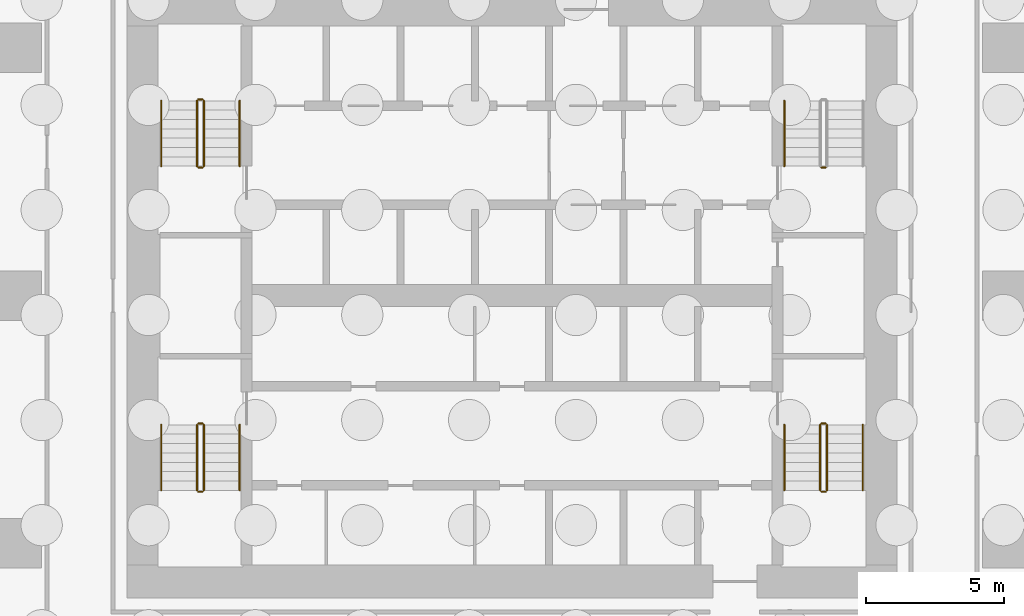
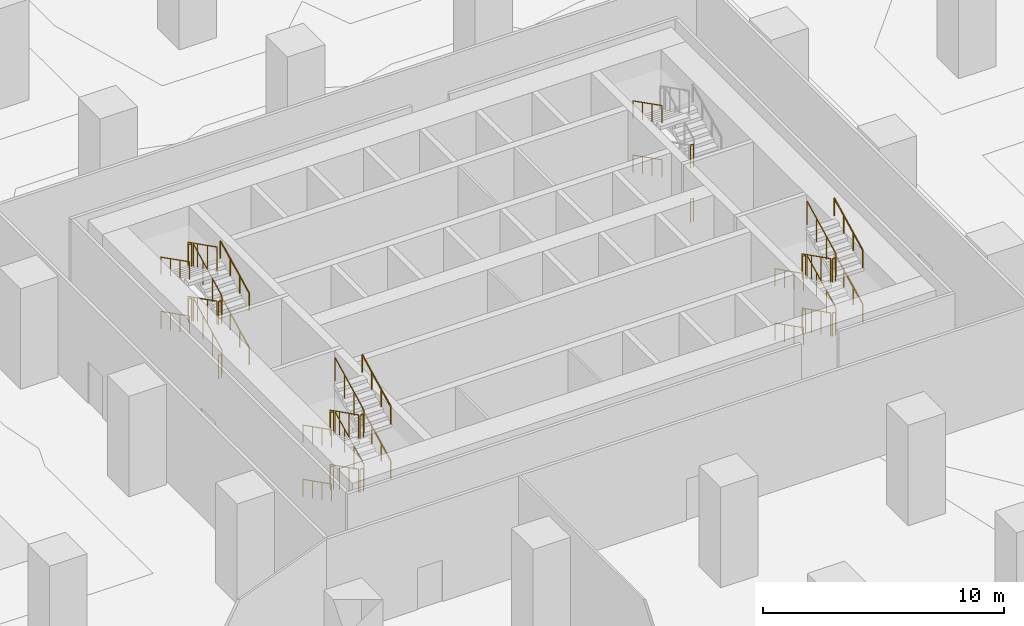
# One storey, part 11 of 12: 40 railings.
"""IFC4 building model written with IfcOpenShell, lengths in metres."""

from ifc_helpers import new_model, si_unit, direction, frame, origin, origin_2d, place, context, subcontext, project, spatial, circle, extrude, material, type_object, element, save


model = new_model("IFC4")

# Units and contexts
model_context = context("Model", 3, precision=1e-05, world=origin(), true_north=direction((0.0, 1.0)))
body_context = subcontext(model_context, "Body", "Model", "MODEL_VIEW")
ifc_project = project(units=[si_unit("LENGTHUNIT", "METRE"), si_unit("AREAUNIT", "SQUARE_METRE"), si_unit("VOLUMEUNIT", "CUBIC_METRE"), si_unit("PLANEANGLEUNIT", "RADIAN"), si_unit("MASSUNIT", "GRAM", prefix="KILO")], contexts=[model_context])

# Site, building, storey
site_placement = place(None, origin())
site = spatial("IfcSite", under=ifc_project, at=site_placement, CompositionType="ELEMENT")
building_placement = place(site_placement, origin())
building = spatial("IfcBuilding", under=site, at=building_placement, Name="Dongbaek Canopy Tower", CompositionType="ELEMENT")
storey_placement = place(building_placement, frame((0.0, 0.0, -17.0)))
storey = spatial("IfcBuildingStorey", under=building, at=storey_placement, Name="B3", CompositionType="ELEMENT", Elevation=-17.0)

# Railings
ifc_material_1 = material(Name="Stainless steel tube and balusters", Category="steel")
railing_type_1 = type_object("IfcRailingType", Name="Stair guard 1200", PredefinedType="GUARDRAIL", material=ifc_material_1)
for number, where, name in (
    (1, (11.39990234375, 4.64990234375, 2.75), "B3 ST-A stair guard 4"),
    (2, (11.39990234375, 4.64990234375, 0.0), "B3 ST-A stair guard 8"),
):
    element("IfcRailing", number, at=place(storey_placement, frame(where)), inside=storey, type_object=railing_type_1, Name=name, PredefinedType="GUARDRAIL", context=body_context, shape_type="SweptSolid", body=[
        extrude(circle(Radius=0.02392578125, at=origin_2d()), frame((0.0, 0.0, 1.17578125), z_axis=(-1.0, 0.0, 0.0), x_axis=(0.0, -1.0, 0.0)), (0.0, 0.0, 1.0), 0.14990234375),
        extrude(circle(Radius=0.02099609375, at=origin_2d()), origin(), (0.0, 0.0, 1.0), 1.15185546875),
        extrude(circle(Radius=0.02099609375, at=origin_2d()), frame((-0.14990234375, 0.0, 0.0)), (0.0, 0.0, 1.0), 1.15185546875),
    ])
railing_1_placement = place(storey_placement, frame((-11.199951171875, 4.699951171875, 0.171875)))
element("IfcRailing", 3, at=railing_1_placement, inside=storey, type_object=railing_type_1, Name="B3 ST-C stair guard 1", PredefinedType="GUARDRAIL", context=body_context, shape_type="SweptSolid", body=[
    extrude(circle(Radius=0.02392578125, at=origin_2d()), frame((0.0, 0.0, 1.17578125), z_axis=(0.0, 0.89245957406, 0.451127375215), x_axis=(-1.0, 0.0, 0.0)), (0.0, 0.0, 1.0), 2.6669921875),
    extrude(circle(Radius=0.02099609375, at=origin_2d()), origin(), (0.0, 0.0, 1.0), 1.15185546875),
    extrude(circle(Radius=0.02099609375, at=origin_2d()), frame((0.0, 0.79345703125, 0.401123046875)), (0.0, 0.0, 1.0), 1.15185546875),
    extrude(circle(Radius=0.02099609375, at=origin_2d()), frame((0.0, 1.586669921875, 0.802001953125)), (0.0, 0.0, 1.0), 1.15185546875),
    extrude(circle(Radius=0.02099609375, at=origin_2d()), frame((0.0, 2.380126953125, 1.203125)), (0.0, 0.0, 1.0), 1.15185546875),
])
railing_2_placement = place(storey_placement, frame((-11.25, 7.1298828125, 1.375)))
element("IfcRailing", 4, at=railing_2_placement, inside=storey, type_object=railing_type_1, Name="B3 ST-C stair guard 2", PredefinedType="GUARDRAIL", context=body_context, shape_type="SweptSolid", body=[
    extrude(circle(Radius=0.02392578125, at=origin_2d()), frame((0.0, 0.0, 1.17578125), z_axis=(-1.0, 0.0, 0.0), x_axis=(0.0, -1.0, 0.0)), (0.0, 0.0, 1.0), 0.14990234375),
    extrude(circle(Radius=0.02099609375, at=origin_2d()), origin(), (0.0, 0.0, 1.0), 1.15185546875),
    extrude(circle(Radius=0.02099609375, at=origin_2d()), frame((-0.14990234375, 0.0, 0.0)), (0.0, 0.0, 1.0), 1.15185546875),
])
railing_3_placement = place(storey_placement, frame((-11.449951171875, 7.080078125, 1.546875)))
element("IfcRailing", 5, at=railing_3_placement, inside=storey, type_object=railing_type_1, Name="B3 ST-C stair guard 3", PredefinedType="GUARDRAIL", context=body_context, shape_type="SweptSolid", body=[
    extrude(circle(Radius=0.02392578125, at=origin_2d()), frame((0.0, 0.0, 1.17578125), z_axis=(0.0, -0.89245957406, 0.451127375215), x_axis=(1.0, 0.0, 0.0)), (0.0, 0.0, 1.0), 2.6669921875),
    extrude(circle(Radius=0.02099609375, at=origin_2d()), origin(), (0.0, 0.0, 1.0), 1.15185546875),
    extrude(circle(Radius=0.02099609375, at=origin_2d()), frame((0.0, -0.79345703125, 0.401123046875)), (0.0, 0.0, 1.0), 1.15185546875),
    extrude(circle(Radius=0.02099609375, at=origin_2d()), frame((0.0, -1.586669921875, 0.802001953125)), (0.0, 0.0, 1.0), 1.15185546875),
    extrude(circle(Radius=0.02099609375, at=origin_2d()), frame((0.0, -2.380126953125, 1.203125)), (0.0, 0.0, 1.0), 1.15185546875),
])
railing_4_placement = place(storey_placement, frame((-11.25, 4.64990234375, 2.75)))
element("IfcRailing", 6, at=railing_4_placement, inside=storey, type_object=railing_type_1, Name="B3 ST-C stair guard 4", PredefinedType="GUARDRAIL", context=body_context, shape_type="SweptSolid", body=[
    extrude(circle(Radius=0.02392578125, at=origin_2d()), frame((0.0, 0.0, 1.17578125), z_axis=(-1.0, 0.0, 0.0), x_axis=(0.0, -1.0, 0.0)), (0.0, 0.0, 1.0), 0.14990234375),
    extrude(circle(Radius=0.02099609375, at=origin_2d()), origin(), (0.0, 0.0, 1.0), 1.15185546875),
    extrude(circle(Radius=0.02099609375, at=origin_2d()), frame((-0.14990234375, 0.0, 0.0)), (0.0, 0.0, 1.0), 1.15185546875),
])
railing_5_placement = place(storey_placement, frame((-11.199951171875, 4.699951171875, 2.921875)))
element("IfcRailing", 7, at=railing_5_placement, inside=storey, type_object=railing_type_1, Name="B3 ST-C stair guard 5", PredefinedType="GUARDRAIL", context=body_context, shape_type="SweptSolid", body=[
    extrude(circle(Radius=0.02392578125, at=origin_2d()), frame((0.0, 0.0, 1.17578125), z_axis=(0.0, 0.89245957406, 0.451127375215), x_axis=(-1.0, 0.0, 0.0)), (0.0, 0.0, 1.0), 2.6669921875),
    extrude(circle(Radius=0.02099609375, at=origin_2d()), origin(), (0.0, 0.0, 1.0), 1.15185546875),
    extrude(circle(Radius=0.02099609375, at=origin_2d()), frame((0.0, 0.79345703125, 0.401123046875)), (0.0, 0.0, 1.0), 1.15185546875),
    extrude(circle(Radius=0.02099609375, at=origin_2d()), frame((0.0, 1.586669921875, 0.802001953125)), (0.0, 0.0, 1.0), 1.15185546875),
    extrude(circle(Radius=0.02099609375, at=origin_2d()), frame((0.0, 2.380126953125, 1.203125)), (0.0, 0.0, 1.0), 1.15185546875),
])
railing_6_placement = place(storey_placement, frame((-11.25, 7.1298828125, 4.125)))
element("IfcRailing", 8, at=railing_6_placement, inside=storey, type_object=railing_type_1, Name="B3 ST-C stair guard 6", PredefinedType="GUARDRAIL", context=body_context, shape_type="SweptSolid", body=[
    extrude(circle(Radius=0.02392578125, at=origin_2d()), frame((0.0, 0.0, 1.17578125), z_axis=(-1.0, 0.0, 0.0), x_axis=(0.0, -1.0, 0.0)), (0.0, 0.0, 1.0), 0.14990234375),
    extrude(circle(Radius=0.02099609375, at=origin_2d()), origin(), (0.0, 0.0, 1.0), 1.15185546875),
    extrude(circle(Radius=0.02099609375, at=origin_2d()), frame((-0.14990234375, 0.0, 0.0)), (0.0, 0.0, 1.0), 1.15185546875),
])
railing_7_placement = place(storey_placement, frame((-11.449951171875, 7.080078125, 4.296875)))
element("IfcRailing", 9, at=railing_7_placement, inside=storey, type_object=railing_type_1, Name="B3 ST-C stair guard 7", PredefinedType="GUARDRAIL", context=body_context, shape_type="SweptSolid", body=[
    extrude(circle(Radius=0.02392578125, at=origin_2d()), frame((0.0, 0.0, 1.17578125), z_axis=(0.0, -0.89245957406, 0.451127375215), x_axis=(1.0, 0.0, 0.0)), (0.0, 0.0, 1.0), 2.6669921875),
    extrude(circle(Radius=0.02099609375, at=origin_2d()), origin(), (0.0, 0.0, 1.0), 1.15185546875),
    extrude(circle(Radius=0.02099609375, at=origin_2d()), frame((0.0, -0.79345703125, 0.401123046875)), (0.0, 0.0, 1.0), 1.15185546875),
    extrude(circle(Radius=0.02099609375, at=origin_2d()), frame((0.0, -1.586669921875, 0.802001953125)), (0.0, 0.0, 1.0), 1.15185546875),
    extrude(circle(Radius=0.02099609375, at=origin_2d()), frame((0.0, -2.380126953125, 1.203125)), (0.0, 0.0, 1.0), 1.15185546875),
])
railing_8_placement = place(storey_placement, frame((-11.25, 4.64990234375, 0.0)))
element("IfcRailing", 10, at=railing_8_placement, inside=storey, type_object=railing_type_1, Name="B3 ST-C stair guard 8", PredefinedType="GUARDRAIL", context=body_context, shape_type="SweptSolid", body=[
    extrude(circle(Radius=0.02392578125, at=origin_2d()), frame((0.0, 0.0, 1.17578125), z_axis=(-1.0, 0.0, 0.0), x_axis=(0.0, -1.0, 0.0)), (0.0, 0.0, 1.0), 0.14990234375),
    extrude(circle(Radius=0.02099609375, at=origin_2d()), origin(), (0.0, 0.0, 1.0), 1.15185546875),
    extrude(circle(Radius=0.02099609375, at=origin_2d()), frame((-0.14990234375, 0.0, 0.0)), (0.0, 0.0, 1.0), 1.15185546875),
])
railing_9_placement = place(storey_placement, frame((11.199951171875, -4.699951171875, 0.171875)))
element("IfcRailing", 11, at=railing_9_placement, inside=storey, type_object=railing_type_1, Name="B3 ST-B stair guard 1", PredefinedType="GUARDRAIL", context=body_context, shape_type="SweptSolid", body=[
    extrude(circle(Radius=0.02392578125, at=origin_2d()), frame((0.0, 0.0, 1.17578125), z_axis=(0.0, -0.89245957406, 0.451127375215), x_axis=(1.0, 0.0, 0.0)), (0.0, 0.0, 1.0), 2.6669921875),
    extrude(circle(Radius=0.02099609375, at=origin_2d()), origin(), (0.0, 0.0, 1.0), 1.15185546875),
    extrude(circle(Radius=0.02099609375, at=origin_2d()), frame((0.0, -0.79345703125, 0.401123046875)), (0.0, 0.0, 1.0), 1.15185546875),
    extrude(circle(Radius=0.02099609375, at=origin_2d()), frame((0.0, -1.586669921875, 0.802001953125)), (0.0, 0.0, 1.0), 1.15185546875),
    extrude(circle(Radius=0.02099609375, at=origin_2d()), frame((0.0, -2.380126953125, 1.203125)), (0.0, 0.0, 1.0), 1.15185546875),
])
railing_10_placement = place(storey_placement, frame((11.25, -7.1298828125, 1.375)))
element("IfcRailing", 12, at=railing_10_placement, inside=storey, type_object=railing_type_1, Name="B3 ST-B stair guard 2", PredefinedType="GUARDRAIL", context=body_context, shape_type="SweptSolid", body=[
    extrude(circle(Radius=0.02392578125, at=origin_2d()), frame((0.0, 0.0, 1.17578125), z_axis=(1.0, 0.0, 0.0), x_axis=(0.0, 1.0, 0.0)), (0.0, 0.0, 1.0), 0.14990234375),
    extrude(circle(Radius=0.02099609375, at=origin_2d()), origin(), (0.0, 0.0, 1.0), 1.15185546875),
    extrude(circle(Radius=0.02099609375, at=origin_2d()), frame((0.14990234375, 0.0, 0.0)), (0.0, 0.0, 1.0), 1.15185546875),
])
railing_11_placement = place(storey_placement, frame((11.449951171875, -7.080078125, 1.546875)))
element("IfcRailing", 13, at=railing_11_placement, inside=storey, type_object=railing_type_1, Name="B3 ST-B stair guard 3", PredefinedType="GUARDRAIL", context=body_context, shape_type="SweptSolid", body=[
    extrude(circle(Radius=0.02392578125, at=origin_2d()), frame((0.0, 0.0, 1.17578125), z_axis=(0.0, 0.89245957406, 0.451127375215), x_axis=(-1.0, 0.0, 0.0)), (0.0, 0.0, 1.0), 2.6669921875),
    extrude(circle(Radius=0.02099609375, at=origin_2d()), origin(), (0.0, 0.0, 1.0), 1.15185546875),
    extrude(circle(Radius=0.02099609375, at=origin_2d()), frame((0.0, 0.79345703125, 0.401123046875)), (0.0, 0.0, 1.0), 1.15185546875),
    extrude(circle(Radius=0.02099609375, at=origin_2d()), frame((0.0, 1.586669921875, 0.802001953125)), (0.0, 0.0, 1.0), 1.15185546875),
    extrude(circle(Radius=0.02099609375, at=origin_2d()), frame((0.0, 2.380126953125, 1.203125)), (0.0, 0.0, 1.0), 1.15185546875),
])
railing_12_placement = place(storey_placement, frame((11.25, -4.64990234375, 2.75)))
element("IfcRailing", 14, at=railing_12_placement, inside=storey, type_object=railing_type_1, Name="B3 ST-B stair guard 4", PredefinedType="GUARDRAIL", context=body_context, shape_type="SweptSolid", body=[
    extrude(circle(Radius=0.02392578125, at=origin_2d()), frame((0.0, 0.0, 1.17578125), z_axis=(1.0, 0.0, 0.0), x_axis=(0.0, 1.0, 0.0)), (0.0, 0.0, 1.0), 0.14990234375),
    extrude(circle(Radius=0.02099609375, at=origin_2d()), origin(), (0.0, 0.0, 1.0), 1.15185546875),
    extrude(circle(Radius=0.02099609375, at=origin_2d()), frame((0.14990234375, 0.0, 0.0)), (0.0, 0.0, 1.0), 1.15185546875),
])
railing_13_placement = place(storey_placement, frame((11.199951171875, -4.699951171875, 2.921875)))
element("IfcRailing", 15, at=railing_13_placement, inside=storey, type_object=railing_type_1, Name="B3 ST-B stair guard 5", PredefinedType="GUARDRAIL", context=body_context, shape_type="SweptSolid", body=[
    extrude(circle(Radius=0.02392578125, at=origin_2d()), frame((0.0, 0.0, 1.17578125), z_axis=(0.0, -0.89245957406, 0.451127375215), x_axis=(1.0, 0.0, 0.0)), (0.0, 0.0, 1.0), 2.6669921875),
    extrude(circle(Radius=0.02099609375, at=origin_2d()), origin(), (0.0, 0.0, 1.0), 1.15185546875),
    extrude(circle(Radius=0.02099609375, at=origin_2d()), frame((0.0, -0.79345703125, 0.401123046875)), (0.0, 0.0, 1.0), 1.15185546875),
    extrude(circle(Radius=0.02099609375, at=origin_2d()), frame((0.0, -1.586669921875, 0.802001953125)), (0.0, 0.0, 1.0), 1.15185546875),
    extrude(circle(Radius=0.02099609375, at=origin_2d()), frame((0.0, -2.380126953125, 1.203125)), (0.0, 0.0, 1.0), 1.15185546875),
])
railing_14_placement = place(storey_placement, frame((11.25, -7.1298828125, 4.125)))
element("IfcRailing", 16, at=railing_14_placement, inside=storey, type_object=railing_type_1, Name="B3 ST-B stair guard 6", PredefinedType="GUARDRAIL", context=body_context, shape_type="SweptSolid", body=[
    extrude(circle(Radius=0.02392578125, at=origin_2d()), frame((0.0, 0.0, 1.17578125), z_axis=(1.0, 0.0, 0.0), x_axis=(0.0, 1.0, 0.0)), (0.0, 0.0, 1.0), 0.14990234375),
    extrude(circle(Radius=0.02099609375, at=origin_2d()), origin(), (0.0, 0.0, 1.0), 1.15185546875),
    extrude(circle(Radius=0.02099609375, at=origin_2d()), frame((0.14990234375, 0.0, 0.0)), (0.0, 0.0, 1.0), 1.15185546875),
])
railing_15_placement = place(storey_placement, frame((11.449951171875, -7.080078125, 4.296875)))
element("IfcRailing", 17, at=railing_15_placement, inside=storey, type_object=railing_type_1, Name="B3 ST-B stair guard 7", PredefinedType="GUARDRAIL", context=body_context, shape_type="SweptSolid", body=[
    extrude(circle(Radius=0.02392578125, at=origin_2d()), frame((0.0, 0.0, 1.17578125), z_axis=(0.0, 0.89245957406, 0.451127375215), x_axis=(-1.0, 0.0, 0.0)), (0.0, 0.0, 1.0), 2.6669921875),
    extrude(circle(Radius=0.02099609375, at=origin_2d()), origin(), (0.0, 0.0, 1.0), 1.15185546875),
    extrude(circle(Radius=0.02099609375, at=origin_2d()), frame((0.0, 0.79345703125, 0.401123046875)), (0.0, 0.0, 1.0), 1.15185546875),
    extrude(circle(Radius=0.02099609375, at=origin_2d()), frame((0.0, 1.586669921875, 0.802001953125)), (0.0, 0.0, 1.0), 1.15185546875),
    extrude(circle(Radius=0.02099609375, at=origin_2d()), frame((0.0, 2.380126953125, 1.203125)), (0.0, 0.0, 1.0), 1.15185546875),
])
railing_16_placement = place(storey_placement, frame((11.25, -4.64990234375, 0.0)))
element("IfcRailing", 18, at=railing_16_placement, inside=storey, type_object=railing_type_1, Name="B3 ST-B stair guard 8", PredefinedType="GUARDRAIL", context=body_context, shape_type="SweptSolid", body=[
    extrude(circle(Radius=0.02392578125, at=origin_2d()), frame((0.0, 0.0, 1.17578125), z_axis=(1.0, 0.0, 0.0), x_axis=(0.0, 1.0, 0.0)), (0.0, 0.0, 1.0), 0.14990234375),
    extrude(circle(Radius=0.02099609375, at=origin_2d()), origin(), (0.0, 0.0, 1.0), 1.15185546875),
    extrude(circle(Radius=0.02099609375, at=origin_2d()), frame((0.14990234375, 0.0, 0.0)), (0.0, 0.0, 1.0), 1.15185546875),
])
railing_17_placement = place(storey_placement, frame((-11.449951171875, -4.699951171875, 0.171875)))
element("IfcRailing", 19, at=railing_17_placement, inside=storey, type_object=railing_type_1, Name="B3 ST-D stair guard 1", PredefinedType="GUARDRAIL", context=body_context, shape_type="SweptSolid", body=[
    extrude(circle(Radius=0.02392578125, at=origin_2d()), frame((0.0, 0.0, 1.17578125), z_axis=(0.0, -0.89245957406, 0.451127375215), x_axis=(1.0, 0.0, 0.0)), (0.0, 0.0, 1.0), 2.6669921875),
    extrude(circle(Radius=0.02099609375, at=origin_2d()), origin(), (0.0, 0.0, 1.0), 1.15185546875),
    extrude(circle(Radius=0.02099609375, at=origin_2d()), frame((0.0, -0.79345703125, 0.401123046875)), (0.0, 0.0, 1.0), 1.15185546875),
    extrude(circle(Radius=0.02099609375, at=origin_2d()), frame((0.0, -1.586669921875, 0.802001953125)), (0.0, 0.0, 1.0), 1.15185546875),
    extrude(circle(Radius=0.02099609375, at=origin_2d()), frame((0.0, -2.380126953125, 1.203125)), (0.0, 0.0, 1.0), 1.15185546875),
])
railing_18_placement = place(storey_placement, frame((-11.39990234375, -7.1298828125, 1.375)))
element("IfcRailing", 20, at=railing_18_placement, inside=storey, type_object=railing_type_1, Name="B3 ST-D stair guard 2", PredefinedType="GUARDRAIL", context=body_context, shape_type="SweptSolid", body=[
    extrude(circle(Radius=0.02392578125, at=origin_2d()), frame((0.0, 0.0, 1.17578125), z_axis=(1.0, 0.0, 0.0), x_axis=(0.0, 1.0, 0.0)), (0.0, 0.0, 1.0), 0.14990234375),
    extrude(circle(Radius=0.02099609375, at=origin_2d()), origin(), (0.0, 0.0, 1.0), 1.15185546875),
    extrude(circle(Radius=0.02099609375, at=origin_2d()), frame((0.14990234375, 0.0, 0.0)), (0.0, 0.0, 1.0), 1.15185546875),
])
railing_19_placement = place(storey_placement, frame((-11.199951171875, -7.080078125, 1.546875)))
element("IfcRailing", 21, at=railing_19_placement, inside=storey, type_object=railing_type_1, Name="B3 ST-D stair guard 3", PredefinedType="GUARDRAIL", context=body_context, shape_type="SweptSolid", body=[
    extrude(circle(Radius=0.02392578125, at=origin_2d()), frame((0.0, 0.0, 1.17578125), z_axis=(0.0, 0.89245957406, 0.451127375215), x_axis=(-1.0, 0.0, 0.0)), (0.0, 0.0, 1.0), 2.6669921875),
    extrude(circle(Radius=0.02099609375, at=origin_2d()), origin(), (0.0, 0.0, 1.0), 1.15185546875),
    extrude(circle(Radius=0.02099609375, at=origin_2d()), frame((0.0, 0.79345703125, 0.401123046875)), (0.0, 0.0, 1.0), 1.15185546875),
    extrude(circle(Radius=0.02099609375, at=origin_2d()), frame((0.0, 1.586669921875, 0.802001953125)), (0.0, 0.0, 1.0), 1.15185546875),
    extrude(circle(Radius=0.02099609375, at=origin_2d()), frame((0.0, 2.380126953125, 1.203125)), (0.0, 0.0, 1.0), 1.15185546875),
])
railing_20_placement = place(storey_placement, frame((-11.39990234375, -4.64990234375, 2.75)))
element("IfcRailing", 22, at=railing_20_placement, inside=storey, type_object=railing_type_1, Name="B3 ST-D stair guard 4", PredefinedType="GUARDRAIL", context=body_context, shape_type="SweptSolid", body=[
    extrude(circle(Radius=0.02392578125, at=origin_2d()), frame((0.0, 0.0, 1.17578125), z_axis=(1.0, 0.0, 0.0), x_axis=(0.0, 1.0, 0.0)), (0.0, 0.0, 1.0), 0.14990234375),
    extrude(circle(Radius=0.02099609375, at=origin_2d()), origin(), (0.0, 0.0, 1.0), 1.15185546875),
    extrude(circle(Radius=0.02099609375, at=origin_2d()), frame((0.14990234375, 0.0, 0.0)), (0.0, 0.0, 1.0), 1.15185546875),
])
railing_21_placement = place(storey_placement, frame((-11.449951171875, -4.699951171875, 2.921875)))
element("IfcRailing", 23, at=railing_21_placement, inside=storey, type_object=railing_type_1, Name="B3 ST-D stair guard 5", PredefinedType="GUARDRAIL", context=body_context, shape_type="SweptSolid", body=[
    extrude(circle(Radius=0.02392578125, at=origin_2d()), frame((0.0, 0.0, 1.17578125), z_axis=(0.0, -0.89245957406, 0.451127375215), x_axis=(1.0, 0.0, 0.0)), (0.0, 0.0, 1.0), 2.6669921875),
    extrude(circle(Radius=0.02099609375, at=origin_2d()), origin(), (0.0, 0.0, 1.0), 1.15185546875),
    extrude(circle(Radius=0.02099609375, at=origin_2d()), frame((0.0, -0.79345703125, 0.401123046875)), (0.0, 0.0, 1.0), 1.15185546875),
    extrude(circle(Radius=0.02099609375, at=origin_2d()), frame((0.0, -1.586669921875, 0.802001953125)), (0.0, 0.0, 1.0), 1.15185546875),
    extrude(circle(Radius=0.02099609375, at=origin_2d()), frame((0.0, -2.380126953125, 1.203125)), (0.0, 0.0, 1.0), 1.15185546875),
])
railing_22_placement = place(storey_placement, frame((-11.39990234375, -7.1298828125, 4.125)))
element("IfcRailing", 24, at=railing_22_placement, inside=storey, type_object=railing_type_1, Name="B3 ST-D stair guard 6", PredefinedType="GUARDRAIL", context=body_context, shape_type="SweptSolid", body=[
    extrude(circle(Radius=0.02392578125, at=origin_2d()), frame((0.0, 0.0, 1.17578125), z_axis=(1.0, 0.0, 0.0), x_axis=(0.0, 1.0, 0.0)), (0.0, 0.0, 1.0), 0.14990234375),
    extrude(circle(Radius=0.02099609375, at=origin_2d()), origin(), (0.0, 0.0, 1.0), 1.15185546875),
    extrude(circle(Radius=0.02099609375, at=origin_2d()), frame((0.14990234375, 0.0, 0.0)), (0.0, 0.0, 1.0), 1.15185546875),
])
railing_23_placement = place(storey_placement, frame((-11.199951171875, -7.080078125, 4.296875)))
element("IfcRailing", 25, at=railing_23_placement, inside=storey, type_object=railing_type_1, Name="B3 ST-D stair guard 7", PredefinedType="GUARDRAIL", context=body_context, shape_type="SweptSolid", body=[
    extrude(circle(Radius=0.02392578125, at=origin_2d()), frame((0.0, 0.0, 1.17578125), z_axis=(0.0, 0.89245957406, 0.451127375215), x_axis=(-1.0, 0.0, 0.0)), (0.0, 0.0, 1.0), 2.6669921875),
    extrude(circle(Radius=0.02099609375, at=origin_2d()), origin(), (0.0, 0.0, 1.0), 1.15185546875),
    extrude(circle(Radius=0.02099609375, at=origin_2d()), frame((0.0, 0.79345703125, 0.401123046875)), (0.0, 0.0, 1.0), 1.15185546875),
    extrude(circle(Radius=0.02099609375, at=origin_2d()), frame((0.0, 1.586669921875, 0.802001953125)), (0.0, 0.0, 1.0), 1.15185546875),
    extrude(circle(Radius=0.02099609375, at=origin_2d()), frame((0.0, 2.380126953125, 1.203125)), (0.0, 0.0, 1.0), 1.15185546875),
])
railing_24_placement = place(storey_placement, frame((-11.39990234375, -4.64990234375, 0.0)))
element("IfcRailing", 26, at=railing_24_placement, inside=storey, type_object=railing_type_1, Name="B3 ST-D stair guard 8", PredefinedType="GUARDRAIL", context=body_context, shape_type="SweptSolid", body=[
    extrude(circle(Radius=0.02392578125, at=origin_2d()), frame((0.0, 0.0, 1.17578125), z_axis=(1.0, 0.0, 0.0), x_axis=(0.0, 1.0, 0.0)), (0.0, 0.0, 1.0), 0.14990234375),
    extrude(circle(Radius=0.02099609375, at=origin_2d()), origin(), (0.0, 0.0, 1.0), 1.15185546875),
    extrude(circle(Radius=0.02099609375, at=origin_2d()), frame((0.14990234375, 0.0, 0.0)), (0.0, 0.0, 1.0), 1.15185546875),
])
ifc_material_2 = material(Name="Stainless steel tube", Category="steel")
railing_type_2 = type_object("IfcRailingType", Name="Stair handrail 900", PredefinedType="HANDRAIL", material=ifc_material_2)
for number, where, name in (
    (27, (9.89990234375, 7.080078125, 1.546875), "B3 ST-A stair handrail 2"),
    (28, (9.89990234375, 7.080078125, 4.296875), "B3 ST-A stair handrail 4"),
):
    element("IfcRailing", number, at=place(storey_placement, frame(where)), inside=storey, type_object=railing_type_2, Name=name, PredefinedType="HANDRAIL", context=body_context, shape_type="SweptSolid", body=[
        extrude(circle(Radius=0.02392578125, at=origin_2d()), frame((0.0, 0.0, 0.8759765625), z_axis=(0.0, -0.89245957406, 0.451127375215), x_axis=(1.0, 0.0, 0.0)), (0.0, 0.0, 1.0), 2.6669921875),
        extrude(circle(Radius=0.02099609375, at=origin_2d()), origin(), (0.0, 0.0, 1.0), 0.851806640625),
        extrude(circle(Radius=0.02099609375, at=origin_2d()), frame((0.0, -0.79345703125, 0.401123046875)), (0.0, 0.0, 1.0), 0.851806640625),
        extrude(circle(Radius=0.02099609375, at=origin_2d()), frame((0.0, -1.586669921875, 0.802001953125)), (0.0, 0.0, 1.0), 0.851806640625),
        extrude(circle(Radius=0.02099609375, at=origin_2d()), frame((0.0, -2.380126953125, 1.203125)), (0.0, 0.0, 1.0), 0.851806640625),
    ])
railing_25_placement = place(storey_placement, frame((-9.89990234375, 4.699951171875, 0.171875)))
element("IfcRailing", 29, at=railing_25_placement, inside=storey, type_object=railing_type_2, Name="B3 ST-C stair handrail 1", PredefinedType="HANDRAIL", context=body_context, shape_type="SweptSolid", body=[
    extrude(circle(Radius=0.02392578125, at=origin_2d()), frame((0.0, 0.0, 0.8759765625), z_axis=(0.0, 0.89245957406, 0.451127375215), x_axis=(-1.0, 0.0, 0.0)), (0.0, 0.0, 1.0), 2.6669921875),
    extrude(circle(Radius=0.02099609375, at=origin_2d()), origin(), (0.0, 0.0, 1.0), 0.851806640625),
    extrude(circle(Radius=0.02099609375, at=origin_2d()), frame((0.0, 0.79345703125, 0.401123046875)), (0.0, 0.0, 1.0), 0.851806640625),
    extrude(circle(Radius=0.02099609375, at=origin_2d()), frame((0.0, 1.586669921875, 0.802001953125)), (0.0, 0.0, 1.0), 0.851806640625),
    extrude(circle(Radius=0.02099609375, at=origin_2d()), frame((0.0, 2.380126953125, 1.203125)), (0.0, 0.0, 1.0), 0.851806640625),
])
railing_26_placement = place(storey_placement, frame((-12.75, 7.080078125, 1.546875)))
element("IfcRailing", 30, at=railing_26_placement, inside=storey, type_object=railing_type_2, Name="B3 ST-C stair handrail 2", PredefinedType="HANDRAIL", context=body_context, shape_type="SweptSolid", body=[
    extrude(circle(Radius=0.02392578125, at=origin_2d()), frame((0.0, 0.0, 0.8759765625), z_axis=(0.0, -0.89245957406, 0.451127375215), x_axis=(1.0, 0.0, 0.0)), (0.0, 0.0, 1.0), 2.6669921875),
    extrude(circle(Radius=0.02099609375, at=origin_2d()), origin(), (0.0, 0.0, 1.0), 0.851806640625),
    extrude(circle(Radius=0.02099609375, at=origin_2d()), frame((0.0, -0.79345703125, 0.401123046875)), (0.0, 0.0, 1.0), 0.851806640625),
    extrude(circle(Radius=0.02099609375, at=origin_2d()), frame((0.0, -1.586669921875, 0.802001953125)), (0.0, 0.0, 1.0), 0.851806640625),
    extrude(circle(Radius=0.02099609375, at=origin_2d()), frame((0.0, -2.380126953125, 1.203125)), (0.0, 0.0, 1.0), 0.851806640625),
])
railing_27_placement = place(storey_placement, frame((-9.89990234375, 4.699951171875, 2.921875)))
element("IfcRailing", 31, at=railing_27_placement, inside=storey, type_object=railing_type_2, Name="B3 ST-C stair handrail 3", PredefinedType="HANDRAIL", context=body_context, shape_type="SweptSolid", body=[
    extrude(circle(Radius=0.02392578125, at=origin_2d()), frame((0.0, 0.0, 0.8759765625), z_axis=(0.0, 0.89245957406, 0.451127375215), x_axis=(-1.0, 0.0, 0.0)), (0.0, 0.0, 1.0), 2.6669921875),
    extrude(circle(Radius=0.02099609375, at=origin_2d()), origin(), (0.0, 0.0, 1.0), 0.851806640625),
    extrude(circle(Radius=0.02099609375, at=origin_2d()), frame((0.0, 0.79345703125, 0.401123046875)), (0.0, 0.0, 1.0), 0.851806640625),
    extrude(circle(Radius=0.02099609375, at=origin_2d()), frame((0.0, 1.586669921875, 0.802001953125)), (0.0, 0.0, 1.0), 0.851806640625),
    extrude(circle(Radius=0.02099609375, at=origin_2d()), frame((0.0, 2.380126953125, 1.203125)), (0.0, 0.0, 1.0), 0.851806640625),
])
for number, where, name in (
    (32, (-12.75, 7.080078125, 4.296875), "B3 ST-C stair handrail 4"),
    (33, (9.89990234375, -4.699951171875, 0.171875), "B3 ST-B stair handrail 1"),
):
    element("IfcRailing", number, at=place(storey_placement, frame(where)), inside=storey, type_object=railing_type_2, Name=name, PredefinedType="HANDRAIL", context=body_context, shape_type="SweptSolid", body=[
        extrude(circle(Radius=0.02392578125, at=origin_2d()), frame((0.0, 0.0, 0.8759765625), z_axis=(0.0, -0.89245957406, 0.451127375215), x_axis=(1.0, 0.0, 0.0)), (0.0, 0.0, 1.0), 2.6669921875),
        extrude(circle(Radius=0.02099609375, at=origin_2d()), origin(), (0.0, 0.0, 1.0), 0.851806640625),
        extrude(circle(Radius=0.02099609375, at=origin_2d()), frame((0.0, -0.79345703125, 0.401123046875)), (0.0, 0.0, 1.0), 0.851806640625),
        extrude(circle(Radius=0.02099609375, at=origin_2d()), frame((0.0, -1.586669921875, 0.802001953125)), (0.0, 0.0, 1.0), 0.851806640625),
        extrude(circle(Radius=0.02099609375, at=origin_2d()), frame((0.0, -2.380126953125, 1.203125)), (0.0, 0.0, 1.0), 0.851806640625),
    ])
railing_28_placement = place(storey_placement, frame((12.75, -7.080078125, 1.546875)))
element("IfcRailing", 34, at=railing_28_placement, inside=storey, type_object=railing_type_2, Name="B3 ST-B stair handrail 2", PredefinedType="HANDRAIL", context=body_context, shape_type="SweptSolid", body=[
    extrude(circle(Radius=0.02392578125, at=origin_2d()), frame((0.0, 0.0, 0.8759765625), z_axis=(0.0, 0.89245957406, 0.451127375215), x_axis=(-1.0, 0.0, 0.0)), (0.0, 0.0, 1.0), 2.6669921875),
    extrude(circle(Radius=0.02099609375, at=origin_2d()), origin(), (0.0, 0.0, 1.0), 0.851806640625),
    extrude(circle(Radius=0.02099609375, at=origin_2d()), frame((0.0, 0.79345703125, 0.401123046875)), (0.0, 0.0, 1.0), 0.851806640625),
    extrude(circle(Radius=0.02099609375, at=origin_2d()), frame((0.0, 1.586669921875, 0.802001953125)), (0.0, 0.0, 1.0), 0.851806640625),
    extrude(circle(Radius=0.02099609375, at=origin_2d()), frame((0.0, 2.380126953125, 1.203125)), (0.0, 0.0, 1.0), 0.851806640625),
])
railing_29_placement = place(storey_placement, frame((9.89990234375, -4.699951171875, 2.921875)))
element("IfcRailing", 35, at=railing_29_placement, inside=storey, type_object=railing_type_2, Name="B3 ST-B stair handrail 3", PredefinedType="HANDRAIL", context=body_context, shape_type="SweptSolid", body=[
    extrude(circle(Radius=0.02392578125, at=origin_2d()), frame((0.0, 0.0, 0.8759765625), z_axis=(0.0, -0.89245957406, 0.451127375215), x_axis=(1.0, 0.0, 0.0)), (0.0, 0.0, 1.0), 2.6669921875),
    extrude(circle(Radius=0.02099609375, at=origin_2d()), origin(), (0.0, 0.0, 1.0), 0.851806640625),
    extrude(circle(Radius=0.02099609375, at=origin_2d()), frame((0.0, -0.79345703125, 0.401123046875)), (0.0, 0.0, 1.0), 0.851806640625),
    extrude(circle(Radius=0.02099609375, at=origin_2d()), frame((0.0, -1.586669921875, 0.802001953125)), (0.0, 0.0, 1.0), 0.851806640625),
    extrude(circle(Radius=0.02099609375, at=origin_2d()), frame((0.0, -2.380126953125, 1.203125)), (0.0, 0.0, 1.0), 0.851806640625),
])
railing_30_placement = place(storey_placement, frame((12.75, -7.080078125, 4.296875)))
element("IfcRailing", 36, at=railing_30_placement, inside=storey, type_object=railing_type_2, Name="B3 ST-B stair handrail 4", PredefinedType="HANDRAIL", context=body_context, shape_type="SweptSolid", body=[
    extrude(circle(Radius=0.02392578125, at=origin_2d()), frame((0.0, 0.0, 0.8759765625), z_axis=(0.0, 0.89245957406, 0.451127375215), x_axis=(-1.0, 0.0, 0.0)), (0.0, 0.0, 1.0), 2.6669921875),
    extrude(circle(Radius=0.02099609375, at=origin_2d()), origin(), (0.0, 0.0, 1.0), 0.851806640625),
    extrude(circle(Radius=0.02099609375, at=origin_2d()), frame((0.0, 0.79345703125, 0.401123046875)), (0.0, 0.0, 1.0), 0.851806640625),
    extrude(circle(Radius=0.02099609375, at=origin_2d()), frame((0.0, 1.586669921875, 0.802001953125)), (0.0, 0.0, 1.0), 0.851806640625),
    extrude(circle(Radius=0.02099609375, at=origin_2d()), frame((0.0, 2.380126953125, 1.203125)), (0.0, 0.0, 1.0), 0.851806640625),
])
railing_31_placement = place(storey_placement, frame((-12.75, -4.699951171875, 0.171875)))
element("IfcRailing", 37, at=railing_31_placement, inside=storey, type_object=railing_type_2, Name="B3 ST-D stair handrail 1", PredefinedType="HANDRAIL", context=body_context, shape_type="SweptSolid", body=[
    extrude(circle(Radius=0.02392578125, at=origin_2d()), frame((0.0, 0.0, 0.8759765625), z_axis=(0.0, -0.89245957406, 0.451127375215), x_axis=(1.0, 0.0, 0.0)), (0.0, 0.0, 1.0), 2.6669921875),
    extrude(circle(Radius=0.02099609375, at=origin_2d()), origin(), (0.0, 0.0, 1.0), 0.851806640625),
    extrude(circle(Radius=0.02099609375, at=origin_2d()), frame((0.0, -0.79345703125, 0.401123046875)), (0.0, 0.0, 1.0), 0.851806640625),
    extrude(circle(Radius=0.02099609375, at=origin_2d()), frame((0.0, -1.586669921875, 0.802001953125)), (0.0, 0.0, 1.0), 0.851806640625),
    extrude(circle(Radius=0.02099609375, at=origin_2d()), frame((0.0, -2.380126953125, 1.203125)), (0.0, 0.0, 1.0), 0.851806640625),
])
railing_32_placement = place(storey_placement, frame((-9.89990234375, -7.080078125, 1.546875)))
element("IfcRailing", 38, at=railing_32_placement, inside=storey, type_object=railing_type_2, Name="B3 ST-D stair handrail 2", PredefinedType="HANDRAIL", context=body_context, shape_type="SweptSolid", body=[
    extrude(circle(Radius=0.02392578125, at=origin_2d()), frame((0.0, 0.0, 0.8759765625), z_axis=(0.0, 0.89245957406, 0.451127375215), x_axis=(-1.0, 0.0, 0.0)), (0.0, 0.0, 1.0), 2.6669921875),
    extrude(circle(Radius=0.02099609375, at=origin_2d()), origin(), (0.0, 0.0, 1.0), 0.851806640625),
    extrude(circle(Radius=0.02099609375, at=origin_2d()), frame((0.0, 0.79345703125, 0.401123046875)), (0.0, 0.0, 1.0), 0.851806640625),
    extrude(circle(Radius=0.02099609375, at=origin_2d()), frame((0.0, 1.586669921875, 0.802001953125)), (0.0, 0.0, 1.0), 0.851806640625),
    extrude(circle(Radius=0.02099609375, at=origin_2d()), frame((0.0, 2.380126953125, 1.203125)), (0.0, 0.0, 1.0), 0.851806640625),
])
railing_33_placement = place(storey_placement, frame((-12.75, -4.699951171875, 2.921875)))
element("IfcRailing", 39, at=railing_33_placement, inside=storey, type_object=railing_type_2, Name="B3 ST-D stair handrail 3", PredefinedType="HANDRAIL", context=body_context, shape_type="SweptSolid", body=[
    extrude(circle(Radius=0.02392578125, at=origin_2d()), frame((0.0, 0.0, 0.8759765625), z_axis=(0.0, -0.89245957406, 0.451127375215), x_axis=(1.0, 0.0, 0.0)), (0.0, 0.0, 1.0), 2.6669921875),
    extrude(circle(Radius=0.02099609375, at=origin_2d()), origin(), (0.0, 0.0, 1.0), 0.851806640625),
    extrude(circle(Radius=0.02099609375, at=origin_2d()), frame((0.0, -0.79345703125, 0.401123046875)), (0.0, 0.0, 1.0), 0.851806640625),
    extrude(circle(Radius=0.02099609375, at=origin_2d()), frame((0.0, -1.586669921875, 0.802001953125)), (0.0, 0.0, 1.0), 0.851806640625),
    extrude(circle(Radius=0.02099609375, at=origin_2d()), frame((0.0, -2.380126953125, 1.203125)), (0.0, 0.0, 1.0), 0.851806640625),
])
railing_34_placement = place(storey_placement, frame((-9.89990234375, -7.080078125, 4.296875)))
element("IfcRailing", 40, at=railing_34_placement, inside=storey, type_object=railing_type_2, Name="B3 ST-D stair handrail 4", PredefinedType="HANDRAIL", context=body_context, shape_type="SweptSolid", body=[
    extrude(circle(Radius=0.02392578125, at=origin_2d()), frame((0.0, 0.0, 0.8759765625), z_axis=(0.0, 0.89245957406, 0.451127375215), x_axis=(-1.0, 0.0, 0.0)), (0.0, 0.0, 1.0), 2.6669921875),
    extrude(circle(Radius=0.02099609375, at=origin_2d()), origin(), (0.0, 0.0, 1.0), 0.851806640625),
    extrude(circle(Radius=0.02099609375, at=origin_2d()), frame((0.0, 0.79345703125, 0.401123046875)), (0.0, 0.0, 1.0), 0.851806640625),
    extrude(circle(Radius=0.02099609375, at=origin_2d()), frame((0.0, 1.586669921875, 0.802001953125)), (0.0, 0.0, 1.0), 0.851806640625),
    extrude(circle(Radius=0.02099609375, at=origin_2d()), frame((0.0, 2.380126953125, 1.203125)), (0.0, 0.0, 1.0), 0.851806640625),
])

save(model, "model.ifc")
